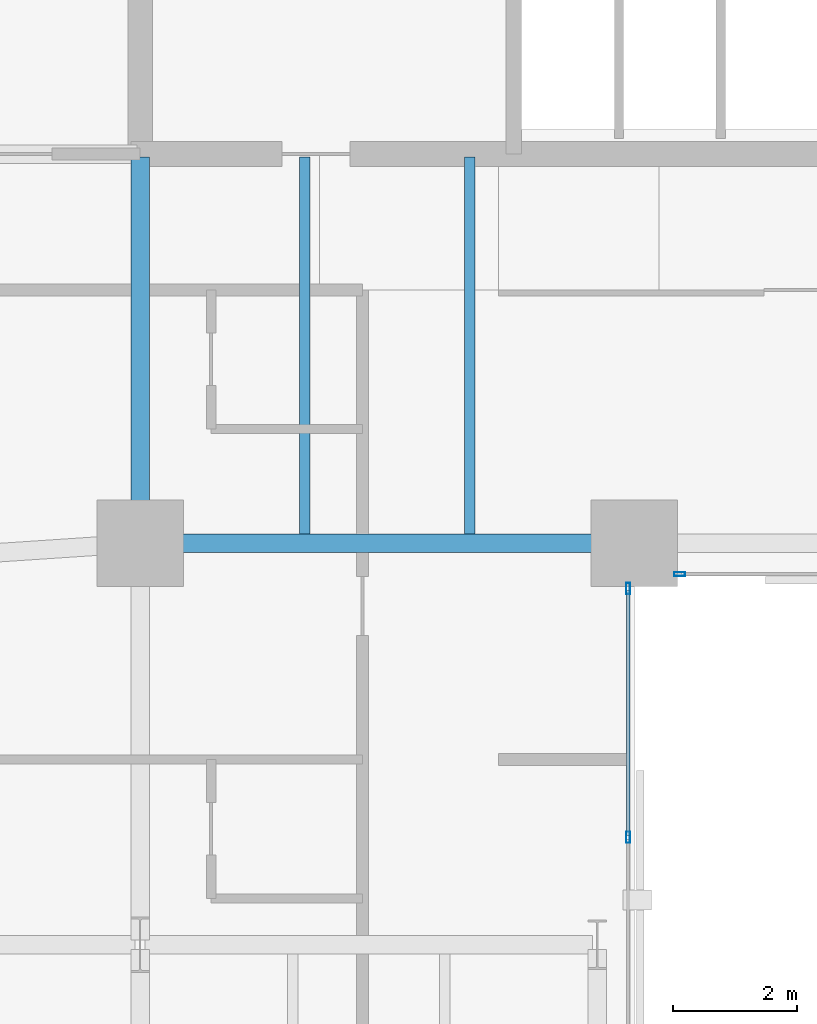
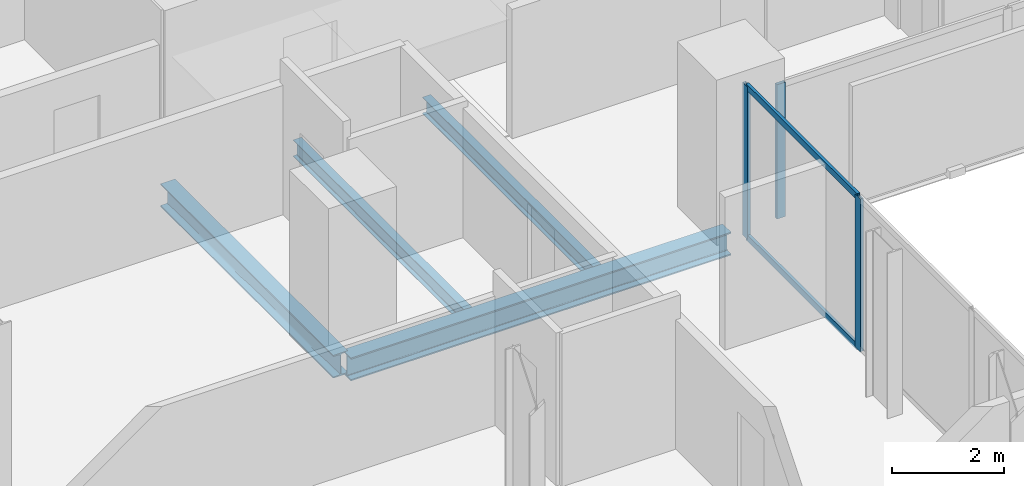
# One storey, part 13 of 33: 5 members, 4 beams, 2 elements without a shape of their own.
"""IFC4 building model written with IfcOpenShell, lengths in metres."""

from ifc_helpers import new_model, si_unit, direction, frame, origin, origin_2d, place, context, subcontext, project, spatial, hollow_rectangle, i_section, extrude, material, layer, layer_set, material_profile, profile_set, type_object, element, aggregate, save


model = new_model("IFC4")

# Units and contexts
model_context = context("Model", 3, precision=1e-05, world=origin(), true_north=direction((0.0, 1.0)))
body_context = subcontext(model_context, "Body", "Model", "MODEL_VIEW")
ifc_project = project(units=[si_unit("LENGTHUNIT", "METRE"), si_unit("AREAUNIT", "SQUARE_METRE"), si_unit("VOLUMEUNIT", "CUBIC_METRE"), si_unit("PLANEANGLEUNIT", "RADIAN"), si_unit("MASSUNIT", "GRAM", prefix="KILO")], contexts=[model_context])

# Site, building, storey
site_placement = place(None, origin())
site = spatial("IfcSite", under=ifc_project, at=site_placement, CompositionType="ELEMENT")
building_placement = place(site_placement, origin())
building = spatial("IfcBuilding", under=site, at=building_placement, Name="Catumbela Crestline Tower", CompositionType="ELEMENT")
storey_placement = place(building_placement, frame((0.0, 0.0, 54.6)))
storey = spatial("IfcBuildingStorey", under=building, at=storey_placement, Name="L13", CompositionType="ELEMENT", Elevation=54.6)

# Beams
ifc_material_1 = material(Name="Structural steel S355J2", Category="steel")
ifc_material_profile_1 = material_profile(ifc_material_1, i_section(OverallWidth=0.3, OverallDepth=0.5, WebThickness=0.0145, FlangeThickness=0.028, FilletRadius=0.027, at=origin_2d()), Name="HEB 500")
ifc_profile_set_1 = profile_set([ifc_material_profile_1], Name="Structural steel S355J2")
beam_type_1 = type_object("IfcBeamType", Name="BG-HEB500", PredefinedType="BEAM", material=ifc_profile_set_1)
beam_1_placement = place(storey_placement, frame((16.08, 24.5, -0.51), z_axis=(1.0, 0.0, 0.0), x_axis=(0.0, 1.0, 0.0)))
element("IfcBeam", 1, at=beam_1_placement, inside=storey, type_object=beam_type_1, Name="L13 Beam BM-L13-S04", PredefinedType="BEAM", context=body_context, shape_type="SweptSolid", body=[
    extrude(i_section(OverallWidth=0.3, OverallDepth=0.5, WebThickness=0.0145, FlangeThickness=0.028, FilletRadius=0.027, at=origin_2d()), origin(), (0.0, 0.0, 1.0), 7.84),
])
beam_2_placement = place(storey_placement, frame((16.0, 24.58, -0.51), z_axis=(0.0, 1.0, 0.0), x_axis=(-1.0, 0.0, 0.0)))
element("IfcBeam", 2, at=beam_2_placement, inside=storey, type_object=beam_type_1, Name="L13 Beam BM-L13-SNS31", PredefinedType="BEAM", context=body_context, shape_type="SweptSolid", body=[
    extrude(i_section(OverallWidth=0.3, OverallDepth=0.5, WebThickness=0.0145, FlangeThickness=0.028, FilletRadius=0.027, at=origin_2d()), origin(), (0.0, 0.0, 1.0), 6.17),
])
ifc_material_profile_2 = material_profile(ifc_material_1, i_section(OverallWidth=0.17, OverallDepth=0.36, WebThickness=0.008, FlangeThickness=0.0127, FilletRadius=0.018, at=origin_2d()), Name="IPE 360")
ifc_profile_set_2 = profile_set([ifc_material_profile_2], Name="Structural steel S355J2")
beam_type_2 = type_object("IfcBeamType", Name="BJ-IPE360", PredefinedType="JOIST", material=ifc_profile_set_2)
for number, where, z_axis, x_axis, name in (
    (3, (18.667, 24.647, -0.44), (0.0, 1.0, 0.0), (-1.0, 0.0, 0.0), "L13 Joist JS-L13-SP42"),
    (4, (21.333, 24.647, -0.44), (0.0, 1.0, 0.0), (-1.0, 0.0, 0.0), "L13 Joist JS-L13-SP43"),
):
    element("IfcBeam", number, at=place(storey_placement, frame(where, z_axis=z_axis, x_axis=x_axis)), inside=storey, type_object=beam_type_2, Name=name, PredefinedType="JOIST", context=body_context, shape_type="SweptSolid", body=[
        extrude(i_section(OverallWidth=0.17, OverallDepth=0.36, WebThickness=0.008, FlangeThickness=0.0127, FilletRadius=0.018, at=origin_2d()), origin(), (0.0, 0.0, 1.0), 6.103),
    ])

# Curtain wall, members
ifc_material_2 = material(Name="Aluminium alloy AW-6060-T66", Category="aluminium")
ifc_layer = layer(ifc_material_2, 0.18, Name="Aluminium alloy AW-6060-T66")
ifc_layer_set = layer_set([ifc_layer], Name="Aluminium alloy AW-6060-T66")
curtain_wall_type = type_object("IfcCurtainWallType", Name="CWU-Z1", PredefinedType="USERDEFINED", material=ifc_layer_set)
curtain_wall_1_placement = place(storey_placement, origin())
curtain_wall_1 = element("IfcCurtainWall", 5, at=curtain_wall_1_placement, inside=storey, type_object=curtain_wall_type, Name="L13 Unitised Curtain Wall CW-L13-E2S1", ObjectType="UNITISED", PredefinedType="USERDEFINED")
ifc_material_profile_3 = material_profile(ifc_material_2, hollow_rectangle(XDim=0.065, YDim=0.18, WallThickness=0.004, at=origin_2d()), Name="ALU 180x65x4")
ifc_profile_set_3 = profile_set([ifc_material_profile_3], Name="Aluminium alloy AW-6060-T66")
member_type_1 = type_object("IfcMemberType", Name="MUL-180X65", PredefinedType="MULLION", material=ifc_profile_set_3)
member_1_placement = place(storey_placement, frame((23.9, 19.74, 0.0), z_axis=(0.0, 0.0, 1.0), x_axis=(-1.0, 0.0, 0.0)))
member_1 = element("IfcMember", 6, at=member_1_placement, type_object=member_type_1, Name="CWU-Z1 mullion 5", PredefinedType="MULLION", context=body_context, shape_type="SweptSolid", body=[
    extrude(hollow_rectangle(XDim=0.065, YDim=0.18, WallThickness=0.004, at=origin_2d()), origin(), (0.0, 0.0, 1.0), 3.33),
])
member_2_placement = place(storey_placement, frame((23.9, 23.7675, 0.0), z_axis=(0.0, 0.0, 1.0), x_axis=(-1.0, 0.0, 0.0)))
member_2 = element("IfcMember", 7, at=member_2_placement, type_object=member_type_1, Name="CWU-Z1 mullion 6", PredefinedType="MULLION", context=body_context, shape_type="SweptSolid", body=[
    extrude(hollow_rectangle(XDim=0.065, YDim=0.18, WallThickness=0.004, at=origin_2d()), origin(), (0.0, 0.0, 1.0), 3.33),
])

# Curtain wall, member
curtain_wall_2_placement = place(storey_placement, origin())
curtain_wall_2 = element("IfcCurtainWall", 8, at=curtain_wall_2_placement, inside=storey, type_object=curtain_wall_type, Name="L13 Unitised Curtain Wall CW-L13-E3S1", ObjectType="UNITISED", PredefinedType="USERDEFINED")
member_3_placement = place(storey_placement, frame((24.7325, 24.0, 0.0), z_axis=(0.0, 0.0, 1.0), x_axis=(0.0, 1.0, 0.0)))
member_3 = element("IfcMember", 9, at=member_3_placement, type_object=member_type_1, Name="CWU-Z1 mullion 1", PredefinedType="MULLION", context=body_context, shape_type="SweptSolid", body=[
    extrude(hollow_rectangle(XDim=0.065, YDim=0.18, WallThickness=0.004, at=origin_2d()), origin(), (0.0, 0.0, 1.0), 2.93),
])
aggregate(curtain_wall_2, [member_3])

# Member
ifc_material_profile_4 = material_profile(ifc_material_2, hollow_rectangle(XDim=0.06, YDim=0.14, WallThickness=0.004, at=origin_2d()), Name="ALU 140x60x4")
ifc_profile_set_4 = profile_set([ifc_material_profile_4], Name="Aluminium alloy AW-6060-T66")
member_type_2 = type_object("IfcMemberType", Name="TRN-140X60", PredefinedType="USERDEFINED", material=ifc_profile_set_4)
member_4_placement = place(storey_placement, frame((23.9, 19.7725, 0.03), z_axis=(0.0, 1.0, 0.0), x_axis=(-1.0, 0.0, 0.0)))
member_4 = element("IfcMember", 10, at=member_4_placement, type_object=member_type_2, Name="CWU-Z1 transom 5.1", ObjectType="TRANSOM", PredefinedType="USERDEFINED", context=body_context, shape_type="SweptSolid", body=[
    extrude(hollow_rectangle(XDim=0.06, YDim=0.14, WallThickness=0.004, at=origin_2d()), origin(), (0.0, 0.0, 1.0), 3.9625),
])

member_5_placement = place(storey_placement, frame((23.9, 19.7725, 3.3), z_axis=(0.0, 1.0, 0.0), x_axis=(-1.0, 0.0, 0.0)))
member_5 = element("IfcMember", 11, at=member_5_placement, type_object=member_type_2, Name="CWU-Z1 transom 5.2", ObjectType="TRANSOM", PredefinedType="USERDEFINED", context=body_context, shape_type="SweptSolid", body=[
    extrude(hollow_rectangle(XDim=0.06, YDim=0.14, WallThickness=0.004, at=origin_2d()), origin(), (0.0, 0.0, 1.0), 3.9625),
])

aggregate(curtain_wall_1, [member_1, member_2, member_4, member_5])

save(model, "model.ifc")
